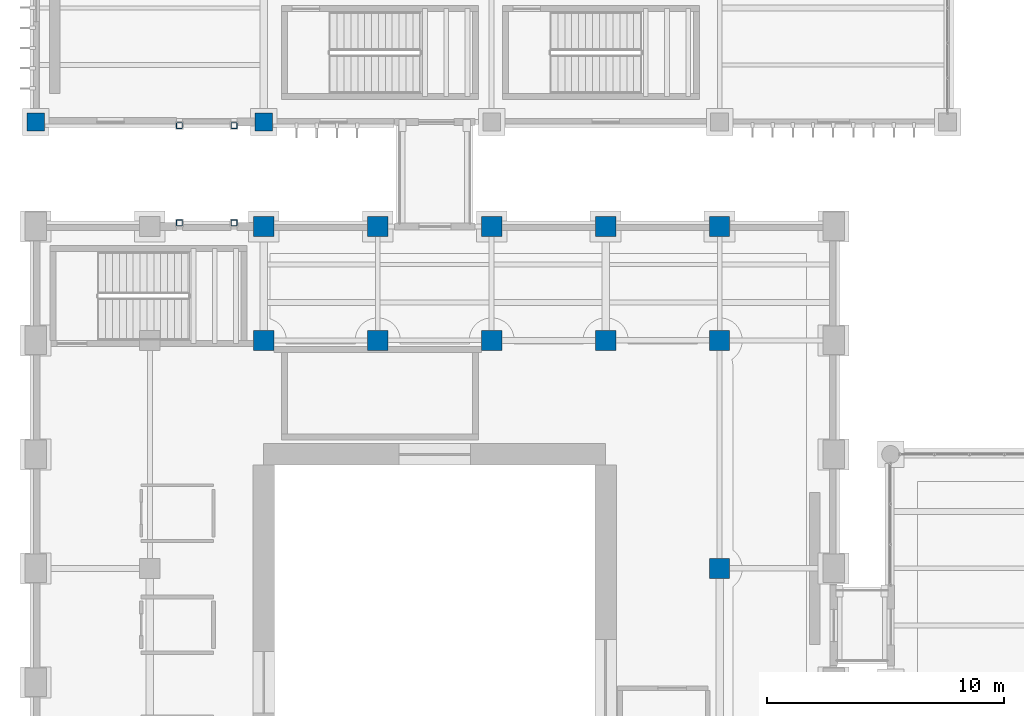
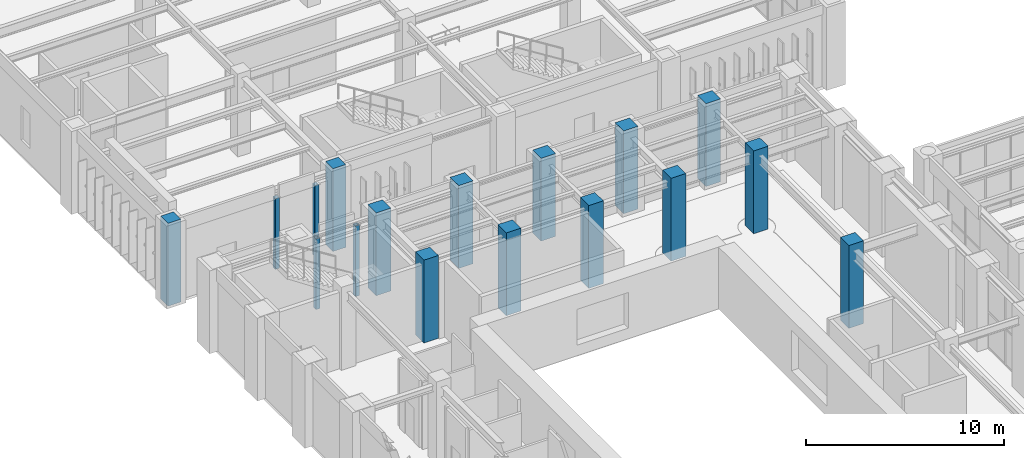
# One storey, part 2 of 174: 17 columns.
"""IFC4 building model written with IfcOpenShell, lengths in metres."""

from ifc_helpers import new_model, si_unit, direction, frame, origin, origin_2d, place, context, subcontext, project, spatial, rectangle, hollow_rectangle, extrude, material, material_profile, profile_set, type_object, element, save


model = new_model("IFC4")

# Units and contexts
model_context = context("Model", 3, precision=1e-05, world=origin(), true_north=direction((0.0, 1.0)))
body_context = subcontext(model_context, "Body", "Model", "MODEL_VIEW")
ifc_project = project(units=[si_unit("LENGTHUNIT", "METRE"), si_unit("AREAUNIT", "SQUARE_METRE"), si_unit("VOLUMEUNIT", "CUBIC_METRE"), si_unit("PLANEANGLEUNIT", "RADIAN"), si_unit("MASSUNIT", "GRAM", prefix="KILO")], contexts=[model_context])

# Site, building, storey
site_placement = place(None, origin())
site = spatial("IfcSite", under=ifc_project, at=site_placement, CompositionType="ELEMENT")
building_placement = place(site_placement, origin())
building = spatial("IfcBuilding", under=site, at=building_placement, Name="Mavantir Sound Aquarium", CompositionType="ELEMENT")
storey_placement = place(building_placement, frame((0.0, 0.0, 5.39990234375)))
storey = spatial("IfcBuildingStorey", under=building, at=storey_placement, Name="L01", CompositionType="ELEMENT", Elevation=5.39990234375)

# Columns
ifc_material_1 = material(Name="Concrete C40/50", Category="concrete")
ifc_material_profile_1 = material_profile(ifc_material_1, rectangle(XDim=0.75, YDim=0.75, at=origin_2d()), Name="RC 750X750")
ifc_profile_set_1 = profile_set([ifc_material_profile_1], Name="Concrete C40/50")
column_type_1 = type_object("IfcColumnType", Name="COL-RC750-E", PredefinedType="COLUMN", material=ifc_profile_set_1)
column_1_placement = place(storey_placement, frame((0.0, 83.60009765625, 0.0), z_axis=(0.0, 0.0, 1.0), x_axis=(1.0, 0.0, 0.0)))
element("IfcColumn", 1, at=column_1_placement, inside=storey, type_object=column_type_1, Name="L01 column RC-C75 (V5)", PredefinedType="COLUMN", context=body_context, shape_type="SweptSolid", body=[
    extrude(rectangle(XDim=0.75, YDim=0.75, at=origin_2d()), origin(), (0.0, 0.0, 1.0), 5.10009765625),
])
ifc_material_profile_2 = material_profile(ifc_material_1, rectangle(XDim=0.75, YDim=0.75, at=origin_2d()), Name="RC 750X750")
ifc_profile_set_2 = profile_set([ifc_material_profile_2], Name="Concrete C40/50")
column_type_2 = type_object("IfcColumnType", Name="COL-RC750-I", PredefinedType="COLUMN", material=ifc_profile_set_2)
column_2_placement = place(storey_placement, frame((9.60009765625, 83.60009765625, 0.0), z_axis=(0.0, 0.0, 1.0), x_axis=(1.0, 0.0, 0.0)))
element("IfcColumn", 2, at=column_2_placement, inside=storey, type_object=column_type_2, Name="L01 column RC-C75 (V5)", PredefinedType="COLUMN", context=body_context, shape_type="SweptSolid", body=[
    extrude(rectangle(XDim=0.75, YDim=0.75, at=origin_2d()), origin(), (0.0, 0.0, 1.0), 5.10009765625),
])
ifc_material_profile_3 = material_profile(ifc_material_1, rectangle(XDim=0.85009765625, YDim=0.85009765625, at=origin_2d()), Name="RC 850X850")
ifc_profile_set_3 = profile_set([ifc_material_profile_3], Name="Concrete C40/50")
column_type_3 = type_object("IfcColumnType", Name="COL-RC850-I", PredefinedType="COLUMN", material=ifc_profile_set_3)
for number, where, z_axis, x_axis, name in (
    (3, (9.60009765625, 74.39990234375, 0.0), (0.0, 0.0, 1.0), (1.0, 0.0, 0.0), "L01 column RC-C85 (V1)"),
    (4, (9.60009765625, 79.199951171875, 0.0), (0.0, 0.0, 1.0), (1.0, 0.0, 0.0), "L01 column RC-C85 (V1)"),
    (5, (14.39990234375, 74.39990234375, 0.0), (0.0, 0.0, 1.0), (1.0, 0.0, 0.0), "L01 column RC-C85 (V1)"),
    (6, (14.39990234375, 79.199951171875, 0.0), (0.0, 0.0, 1.0), (1.0, 0.0, 0.0), "L01 column RC-C85 (V1)"),
    (7, (19.199951171875, 74.39990234375, 0.0), (0.0, 0.0, 1.0), (1.0, 0.0, 0.0), "L01 column RC-C85 (V1)"),
    (8, (19.199951171875, 79.199951171875, 0.0), (0.0, 0.0, 1.0), (1.0, 0.0, 0.0), "L01 column RC-C85 (V1)"),
    (9, (24.0, 74.39990234375, 0.0), (0.0, 0.0, 1.0), (1.0, 0.0, 0.0), "L01 column RC-C85 (V1)"),
    (10, (24.0, 79.199951171875, 0.0), (0.0, 0.0, 1.0), (1.0, 0.0, 0.0), "L01 column RC-C85 (V1)"),
    (11, (28.800048828125, 64.800048828125, 0.0), (0.0, 0.0, 1.0), (1.0, 0.0, 0.0), "L01 column RC-C85 (V1)"),
    (12, (28.800048828125, 74.39990234375, 0.0), (0.0, 0.0, 1.0), (1.0, 0.0, 0.0), "L01 column RC-C85 (V1)"),
    (13, (28.800048828125, 79.199951171875, 0.0), (0.0, 0.0, 1.0), (1.0, 0.0, 0.0), "L01 column RC-C85 (V1)"),
):
    element("IfcColumn", number, at=place(storey_placement, frame(where, z_axis=z_axis, x_axis=x_axis)), inside=storey, type_object=column_type_3, Name=name, PredefinedType="COLUMN", context=body_context, shape_type="SweptSolid", body=[
        extrude(rectangle(XDim=0.85009765625, YDim=0.85009765625, at=origin_2d()), origin(), (0.0, 0.0, 1.0), 5.10009765625),
    ])
ifc_material_2 = material(Name="Hollow Structural Steel ASTM A500 GrC", Category="steel")
ifc_material_profile_4 = material_profile(ifc_material_2, hollow_rectangle(XDim=0.25, YDim=0.25, WallThickness=0.012451171875, InnerFilletRadius=0.012451171875, OuterFilletRadius=0.02490234375, at=origin_2d()), Name="SHS 250X250X12.5")
ifc_profile_set_4 = profile_set([ifc_material_profile_4], Name="Hollow Structural Steel ASTM A500 GrC")
column_type_4 = type_object("IfcColumnType", Name="COL-SHS250-E", PredefinedType="COLUMN", material=ifc_profile_set_4)
for number, where, z_axis, x_axis, name in (
    (14, (6.050048828125, 79.35009765625, 0.0), (0.0, 0.0, 1.0), (1.0, 0.0, 0.0), "Bridge support column 5.1 (L01)"),
    (15, (6.050048828125, 83.449951171875, 0.0), (0.0, 0.0, 1.0), (1.0, 0.0, 0.0), "Bridge support column 5.2 (L01)"),
    (16, (8.35009765625, 79.35009765625, 0.0), (0.0, 0.0, 1.0), (1.0, 0.0, 0.0), "Bridge support column 5.3 (L01)"),
    (17, (8.35009765625, 83.449951171875, 0.0), (0.0, 0.0, 1.0), (1.0, 0.0, 0.0), "Bridge support column 5.4 (L01)"),
):
    element("IfcColumn", number, at=place(storey_placement, frame(where, z_axis=z_axis, x_axis=x_axis)), inside=storey, type_object=column_type_4, Name=name, PredefinedType="COLUMN", context=body_context, shape_type="SweptSolid", body=[
        extrude(hollow_rectangle(XDim=0.25, YDim=0.25, WallThickness=0.012451171875, InnerFilletRadius=0.012451171875, OuterFilletRadius=0.02490234375, at=origin_2d()), origin(), (0.0, 0.0, 1.0), 4.35107421875),
    ])

save(model, "model.ifc")
